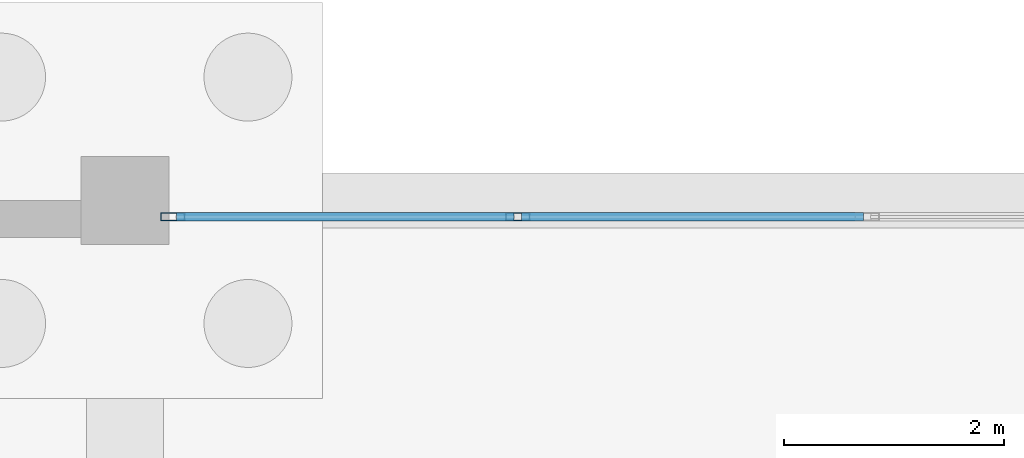
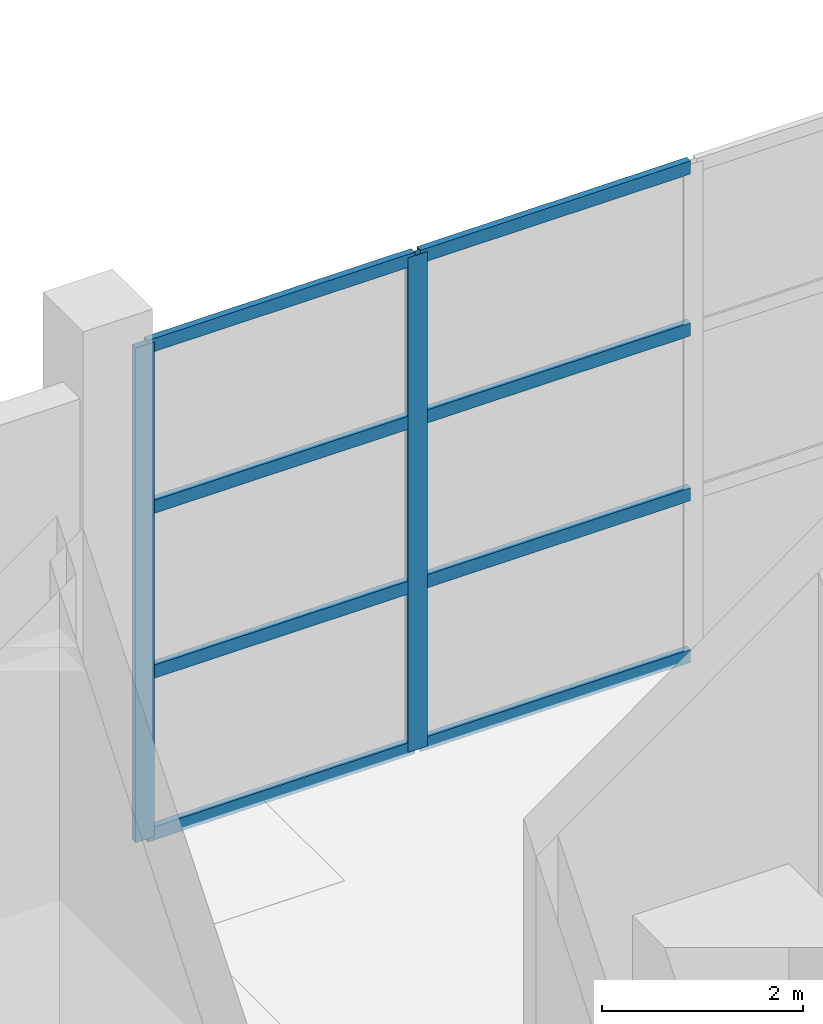
# One storey, part 72 of 115: 10 members, 1 element without a shape of its own.
"""IFC4 building model written with IfcOpenShell, lengths in metres."""

from ifc_helpers import new_model, si_unit, direction, frame, origin, origin_2d, place, context, subcontext, project, spatial, hollow_rectangle, extrude, material, layer, layer_set, material_profile, profile_set, type_object, element, aggregate, save


model = new_model("IFC4")

# Units and contexts
model_context = context("Model", 3, precision=1e-05, world=origin(), true_north=direction((0.0, 1.0)))
body_context = subcontext(model_context, "Body", "Model", "MODEL_VIEW")
ifc_project = project(units=[si_unit("LENGTHUNIT", "METRE"), si_unit("AREAUNIT", "SQUARE_METRE"), si_unit("VOLUMEUNIT", "CUBIC_METRE"), si_unit("PLANEANGLEUNIT", "RADIAN"), si_unit("MASSUNIT", "GRAM", prefix="KILO")], contexts=[model_context])

# Site, building, storey
site_placement = place(None, origin())
site = spatial("IfcSite", under=ifc_project, at=site_placement, CompositionType="ELEMENT")
building_placement = place(site_placement, origin())
building = spatial("IfcBuilding", under=site, at=building_placement, Name="Tamarisk Ironworks Central Station", CompositionType="ELEMENT")
storey_placement = place(building_placement, origin())
storey = spatial("IfcBuildingStorey", under=building, at=storey_placement, Name="L00", CompositionType="ELEMENT", Elevation=0.0)

# Curtain wall, members
ifc_material = material(Name="Anodized aluminium alloy 6063-T6", Category="aluminium")
ifc_layer = layer(ifc_material, 0.179931640625)
ifc_layer_set = layer_set([ifc_layer], Name="Anodized aluminium alloy 6063-T6")
curtain_wall_type = type_object("IfcCurtainWallType", Name="CW-15", PredefinedType="USERDEFINED", material=ifc_layer_set)
curtain_wall_placement = place(storey_placement, origin())
curtain_wall = element("IfcCurtainWall", 1, at=curtain_wall_placement, inside=storey, type_object=curtain_wall_type, Name="Operations L00 north facade curtain wall 153", ObjectType="GLAZED CURTAIN WALL", PredefinedType="USERDEFINED")
ifc_material_profile_1 = material_profile(ifc_material, hollow_rectangle(XDim=0.074951171875, YDim=0.219970703125, WallThickness=0.00390625, at=origin_2d()), Name="ALUM 220x75")
ifc_profile_set_1 = profile_set([ifc_material_profile_1], Name="Anodized aluminium alloy 6063-T6")
member_type_1 = type_object("IfcMemberType", Name="CWM-01", PredefinedType="MULLION", material=ifc_profile_set_1)
member_1_placement = place(storey_placement, frame((153.435546875, 122.25, 0.0), z_axis=(0.0, 0.0, 1.0), x_axis=(0.0, 1.0, 0.0)))
member_1 = element("IfcMember", 2, at=member_1_placement, type_object=member_type_1, Name="CW15 mullion 1", PredefinedType="MULLION", context=body_context, shape_type="SweptSolid", body=[
    extrude(hollow_rectangle(XDim=0.074951171875, YDim=0.219970703125, WallThickness=0.00390625, at=origin_2d()), origin(), (0.0, 0.0, 1.0), 6.02001953125),
])
member_2_placement = place(storey_placement, frame((156.573974609375, 122.25, 0.0), z_axis=(0.0, 0.0, 1.0), x_axis=(0.0, 1.0, 0.0)))
member_2 = element("IfcMember", 3, at=member_2_placement, type_object=member_type_1, Name="CW15 mullion 2", PredefinedType="MULLION", context=body_context, shape_type="SweptSolid", body=[
    extrude(hollow_rectangle(XDim=0.074951171875, YDim=0.219970703125, WallThickness=0.00390625, at=origin_2d()), origin(), (0.0, 0.0, 1.0), 6.02001953125),
])
ifc_material_profile_2 = material_profile(ifc_material, hollow_rectangle(XDim=0.074951171875, YDim=0.159912109375, WallThickness=0.00390625, at=origin_2d()), Name="ALUM 160x75")
ifc_profile_set_2 = profile_set([ifc_material_profile_2], Name="Anodized aluminium alloy 6063-T6")
member_type_2 = type_object("IfcMemberType", Name="CWT-01", PredefinedType="USERDEFINED", material=ifc_profile_set_2)
member_3_placement = place(storey_placement, frame((153.468994140625, 122.25, 0.03759765625), z_axis=(1.0, 0.0, 0.0), x_axis=(0.0, 1.0, 0.0)))
member_3 = element("IfcMember", 4, at=member_3_placement, type_object=member_type_2, Name="CW15 transom 1.1", ObjectType="TRANSOM", PredefinedType="USERDEFINED", context=body_context, shape_type="SweptSolid", body=[
    extrude(hollow_rectangle(XDim=0.074951171875, YDim=0.159912109375, WallThickness=0.00390625, at=origin_2d()), origin(), (0.0, 0.0, 1.0), 3.071533203125),
])
member_4_placement = place(storey_placement, frame((153.468994140625, 122.25, 2.006591796875), z_axis=(1.0, 0.0, 0.0), x_axis=(0.0, 1.0, 0.0)))
member_4 = element("IfcMember", 5, at=member_4_placement, type_object=member_type_2, Name="CW15 transom 1.2", ObjectType="TRANSOM", PredefinedType="USERDEFINED", context=body_context, shape_type="SweptSolid", body=[
    extrude(hollow_rectangle(XDim=0.074951171875, YDim=0.159912109375, WallThickness=0.00390625, at=origin_2d()), origin(), (0.0, 0.0, 1.0), 3.071533203125),
])
member_5_placement = place(storey_placement, frame((153.468994140625, 122.25, 4.01318359375), z_axis=(1.0, 0.0, 0.0), x_axis=(0.0, 1.0, 0.0)))
member_5 = element("IfcMember", 6, at=member_5_placement, type_object=member_type_2, Name="CW15 transom 1.3", ObjectType="TRANSOM", PredefinedType="USERDEFINED", context=body_context, shape_type="SweptSolid", body=[
    extrude(hollow_rectangle(XDim=0.074951171875, YDim=0.159912109375, WallThickness=0.00390625, at=origin_2d()), origin(), (0.0, 0.0, 1.0), 3.071533203125),
])
member_6_placement = place(storey_placement, frame((153.468994140625, 122.25, 5.982421875), z_axis=(1.0, 0.0, 0.0), x_axis=(0.0, 1.0, 0.0)))
member_6 = element("IfcMember", 7, at=member_6_placement, type_object=member_type_2, Name="CW15 transom 1.4", ObjectType="TRANSOM", PredefinedType="USERDEFINED", context=body_context, shape_type="SweptSolid", body=[
    extrude(hollow_rectangle(XDim=0.074951171875, YDim=0.159912109375, WallThickness=0.00390625, at=origin_2d()), origin(), (0.0, 0.0, 1.0), 3.071533203125),
])
member_7_placement = place(storey_placement, frame((156.607421875, 122.25, 0.03759765625), z_axis=(1.0, 0.0, 0.0), x_axis=(0.0, 1.0, 0.0)))
member_7 = element("IfcMember", 8, at=member_7_placement, type_object=member_type_2, Name="CW15 transom 2.1", ObjectType="TRANSOM", PredefinedType="USERDEFINED", context=body_context, shape_type="SweptSolid", body=[
    extrude(hollow_rectangle(XDim=0.074951171875, YDim=0.159912109375, WallThickness=0.00390625, at=origin_2d()), origin(), (0.0, 0.0, 1.0), 3.109130859375),
])
member_8_placement = place(storey_placement, frame((156.607421875, 122.25, 2.006591796875), z_axis=(1.0, 0.0, 0.0), x_axis=(0.0, 1.0, 0.0)))
member_8 = element("IfcMember", 9, at=member_8_placement, type_object=member_type_2, Name="CW15 transom 2.2", ObjectType="TRANSOM", PredefinedType="USERDEFINED", context=body_context, shape_type="SweptSolid", body=[
    extrude(hollow_rectangle(XDim=0.074951171875, YDim=0.159912109375, WallThickness=0.00390625, at=origin_2d()), origin(), (0.0, 0.0, 1.0), 3.109130859375),
])
member_9_placement = place(storey_placement, frame((156.607421875, 122.25, 4.01318359375), z_axis=(1.0, 0.0, 0.0), x_axis=(0.0, 1.0, 0.0)))
member_9 = element("IfcMember", 10, at=member_9_placement, type_object=member_type_2, Name="CW15 transom 2.3", ObjectType="TRANSOM", PredefinedType="USERDEFINED", context=body_context, shape_type="SweptSolid", body=[
    extrude(hollow_rectangle(XDim=0.074951171875, YDim=0.159912109375, WallThickness=0.00390625, at=origin_2d()), origin(), (0.0, 0.0, 1.0), 3.109130859375),
])
member_10_placement = place(storey_placement, frame((156.607421875, 122.25, 5.982421875), z_axis=(1.0, 0.0, 0.0), x_axis=(0.0, 1.0, 0.0)))
member_10 = element("IfcMember", 11, at=member_10_placement, type_object=member_type_2, Name="CW15 transom 2.4", ObjectType="TRANSOM", PredefinedType="USERDEFINED", context=body_context, shape_type="SweptSolid", body=[
    extrude(hollow_rectangle(XDim=0.074951171875, YDim=0.159912109375, WallThickness=0.00390625, at=origin_2d()), origin(), (0.0, 0.0, 1.0), 3.109130859375),
])
aggregate(curtain_wall, [member_1, member_2, member_3, member_4, member_5, member_6, member_7, member_8, member_9, member_10])

save(model, "model.ifc")
